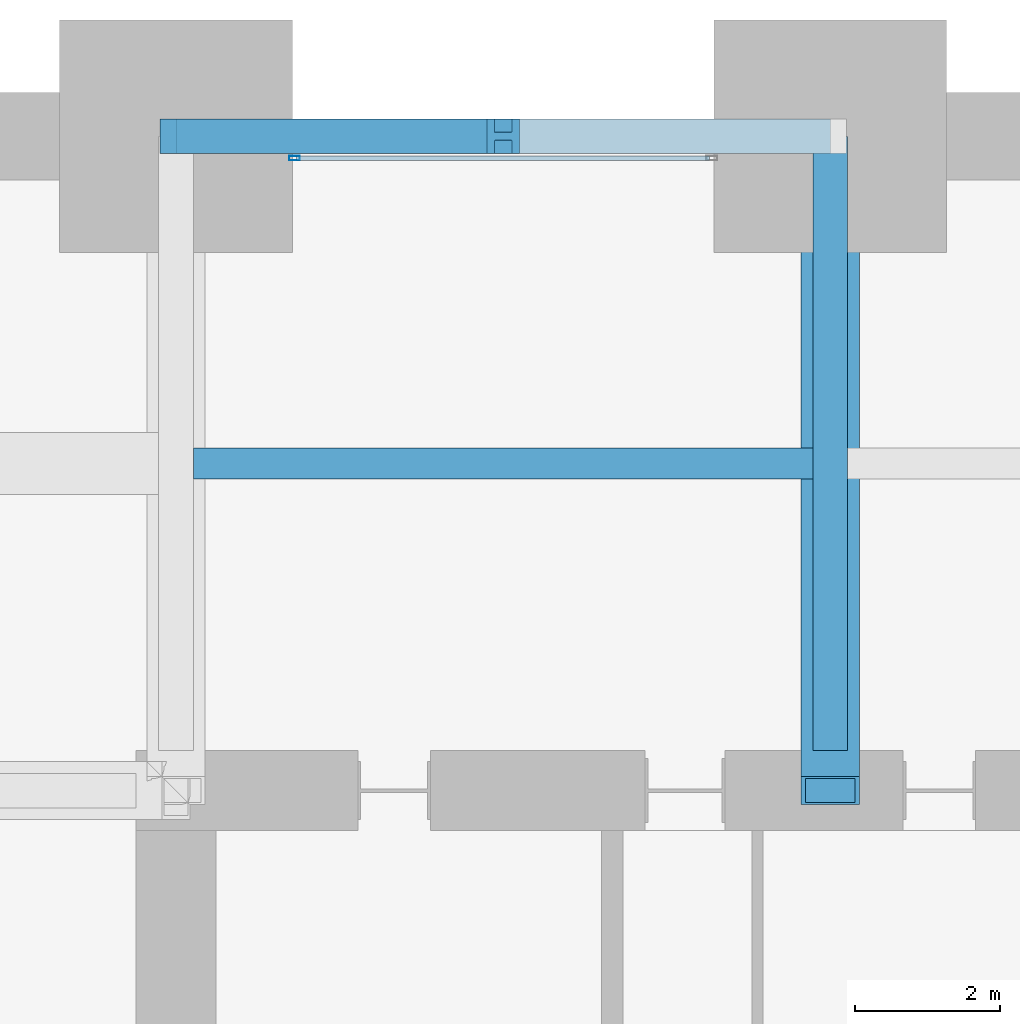
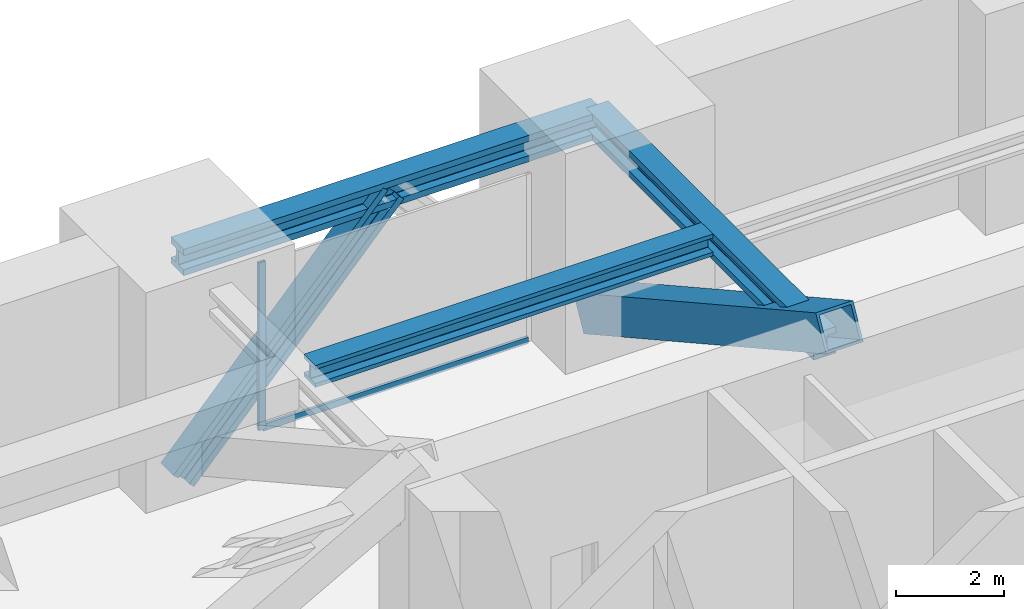
# One storey, part 26 of 38: 4 members, 3 beams, 1 element without a shape of its own.
"""IFC4 building model written with IfcOpenShell, lengths in metres."""

from ifc_helpers import new_model, si_unit, direction, frame, origin, origin_2d, place, context, subcontext, project, spatial, hollow_rectangle, i_section, extrude, material, material_profile, profile_set, type_object, element, aggregate, save


model = new_model("IFC4")

# Units and contexts
model_context = context("Model", 3, precision=1e-05, world=origin(), true_north=direction((0.0, 1.0)))
body_context = subcontext(model_context, "Body", "Model", "MODEL_VIEW")
ifc_project = project(units=[si_unit("LENGTHUNIT", "METRE"), si_unit("AREAUNIT", "SQUARE_METRE"), si_unit("VOLUMEUNIT", "CUBIC_METRE"), si_unit("PLANEANGLEUNIT", "RADIAN"), si_unit("MASSUNIT", "GRAM", prefix="KILO")], contexts=[model_context])

# Site, building, storey
site_placement = place(None, origin())
site = spatial("IfcSite", under=ifc_project, at=site_placement, CompositionType="ELEMENT")
building_placement = place(site_placement, origin())
building = spatial("IfcBuilding", under=site, at=building_placement, Name="Zorevar Civic Tower", CompositionType="ELEMENT")
storey_placement = place(building_placement, frame((0.0, 0.0, 157.199951171875)))
storey = spatial("IfcBuildingStorey", under=building, at=storey_placement, Name="L38", CompositionType="ELEMENT", Elevation=157.199951171875)

# Beam
ifc_material_1 = material(Name="Steel S460M (HISTAR 460)", Category="steel")
ifc_material_profile_1 = material_profile(ifc_material_1, i_section(OverallWidth=0.47607421875, OverallDepth=0.60009765625, WebThickness=0.10009765625, FlangeThickness=0.139892578125, FilletRadius=0.014892578125, at=origin_2d()), Name="HD 400x1299")
ifc_profile_set_1 = profile_set([ifc_material_profile_1], Name="Steel S460M (HISTAR 460)")
beam_type_1 = type_object("IfcBeamType", Name="Belt chord HD 400x1299", PredefinedType="BEAM", material=ifc_profile_set_1)
beam_1_placement = place(storey_placement, frame((18.0, 45.0, 4.300048828125), z_axis=(1.0, 0.0, 0.0), x_axis=(0.0, 1.0, 0.0)))
element("IfcBeam", 1, at=beam_1_placement, inside=storey, type_object=beam_type_1, Name="Belt chord L39", PredefinedType="BEAM", context=body_context, shape_type="SweptSolid", body=[
    extrude(i_section(OverallWidth=0.47607421875, OverallDepth=0.60009765625, WebThickness=0.10009765625, FlangeThickness=0.139892578125, FilletRadius=0.014892578125, at=origin_2d()), origin(), (0.0, 0.0, 1.0), 9.0),
])

# Member
ifc_material_2 = material(Name="Steel S460M (HISTAR 460)", Category="steel")
ifc_material_profile_2 = material_profile(ifc_material_2, i_section(OverallWidth=0.47607421875, OverallDepth=0.60009765625, WebThickness=0.10009765625, FlangeThickness=0.139892578125, FilletRadius=0.014892578125, at=origin_2d()), Name="HD 400x1299")
ifc_profile_set_2 = profile_set([ifc_material_profile_2], Name="Steel S460M (HISTAR 460)")
member_type_1 = type_object("IfcMemberType", Name="Belt strut HD 400x1299", PredefinedType="BRACE", material=ifc_profile_set_2)
member_1_placement = place(storey_placement, frame((18.0, 45.0, -0.64990234375), z_axis=(0.672676426978, 0.0, 0.739936770669), x_axis=(0.0, 1.0, 0.0)))
element("IfcMember", 2, at=member_1_placement, inside=storey, type_object=member_type_1, Name="Belt strut N L38", PredefinedType="BRACE", context=body_context, shape_type="SweptSolid", body=[
    extrude(i_section(OverallWidth=0.47607421875, OverallDepth=0.60009765625, WebThickness=0.10009765625, FlangeThickness=0.139892578125, FilletRadius=0.014892578125, at=origin_2d()), origin(), (0.0, 0.0, 1.0), 6.689697265625),
])

# Curtain wall, members
ifc_material_3 = material(Name="Black aluminium louvres", Category="aluminium")
curtain_wall_type = type_object("IfcCurtainWallType", Name="Louvred curtain wall CW6 refuge", PredefinedType="NOTDEFINED", material=ifc_material_3)
curtain_wall_placement = place(storey_placement, origin())
curtain_wall = element("IfcCurtainWall", 3, at=curtain_wall_placement, inside=storey, type_object=curtain_wall_type, Name="CW6 L38", PredefinedType="NOTDEFINED")
ifc_material_4 = material(Name="Aluminium, black anodised", Category="aluminium")
ifc_material_profile_3 = material_profile(ifc_material_4, hollow_rectangle(XDim=0.06005859375, YDim=0.14990234375, WallThickness=0.00390625, at=origin_2d()), Name="AL 150x60x4")
ifc_profile_set_3 = profile_set([ifc_material_profile_3], Name="Aluminium, black anodised")
member_type_2 = type_object("IfcMemberType", Name="CW6 mullion AL 150x60x4", PredefinedType="MULLION", material=ifc_profile_set_3)
member_2_placement = place(storey_placement, frame((19.6298828125, 44.699951171875, 0.0), z_axis=(0.0, 0.0, 1.0), x_axis=(0.0, 1.0, 0.0)))
member_2 = element("IfcMember", 4, at=member_2_placement, type_object=member_type_2, Name="CW6 mullion 1", PredefinedType="MULLION", context=body_context, shape_type="SweptSolid", body=[
    extrude(hollow_rectangle(XDim=0.06005859375, YDim=0.14990234375, WallThickness=0.00390625, at=origin_2d()), origin(), (0.0, 0.0, 1.0), 3.800048828125),
])
ifc_material_5 = material(Name="Aluminium, black anodised", Category="aluminium")
ifc_material_profile_4 = material_profile(ifc_material_5, hollow_rectangle(XDim=0.06005859375, YDim=0.14990234375, WallThickness=0.00390625, at=origin_2d()), Name="AL 150x60x4")
ifc_profile_set_4 = profile_set([ifc_material_profile_4], Name="Aluminium, black anodised")
member_type_3 = type_object("IfcMemberType", Name="CW6 transom AL 150x60x4", PredefinedType="USERDEFINED", material=ifc_profile_set_4)
member_3_placement = place(storey_placement, frame((19.659912109375, 44.699951171875, 0.030029296875), z_axis=(1.0, 0.0, 0.0), x_axis=(0.0, 1.0, 0.0)))
member_3 = element("IfcMember", 5, at=member_3_placement, type_object=member_type_3, Name="CW6 sill transom", ObjectType="TRANSOM", PredefinedType="USERDEFINED", context=body_context, shape_type="SweptSolid", body=[
    extrude(hollow_rectangle(XDim=0.06005859375, YDim=0.14990234375, WallThickness=0.00390625, at=origin_2d()), origin(), (0.0, 0.0, 1.0), 5.68017578125),
])
aggregate(curtain_wall, [member_2, member_3])

# Beams
ifc_material_6 = material(Name="Steel S460M (HISTAR 460)", Category="steel")
ifc_material_profile_5 = material_profile(ifc_material_6, i_section(OverallWidth=0.431884765625, OverallDepth=0.498046875, WebThickness=0.0556640625, FlangeThickness=0.0888671875, FilletRadius=0.014892578125, at=origin_2d()), Name="HD 400x744")
ifc_profile_set_5 = profile_set([ifc_material_profile_5], Name="Steel S460M (HISTAR 460)")
beam_type_2 = type_object("IfcBeamType", Name="Core bay beam HD 400x744", PredefinedType="BEAM", material=ifc_profile_set_5)
beam_2_placement = place(storey_placement, frame((18.238037109375, 40.5, 4.35107421875), z_axis=(1.0, 0.0, 0.0), x_axis=(0.0, 1.0, 0.0)))
element("IfcBeam", 6, at=beam_2_placement, inside=storey, type_object=beam_type_2, Name="Secondary beam L39", PredefinedType="BEAM", context=body_context, shape_type="SweptSolid", body=[
    extrude(i_section(OverallWidth=0.431884765625, OverallDepth=0.498046875, WebThickness=0.0556640625, FlangeThickness=0.0888671875, FilletRadius=0.014892578125, at=origin_2d()), origin(), (0.0, 0.0, 1.0), 8.52392578125),
])
ifc_material_7 = material(Name="Steel S460M (HISTAR 460)", Category="steel")
ifc_material_profile_6 = material_profile(ifc_material_7, i_section(OverallWidth=0.47607421875, OverallDepth=0.60009765625, WebThickness=0.10009765625, FlangeThickness=0.139892578125, FilletRadius=0.014892578125, at=origin_2d()), Name="HD 400x1299")
ifc_profile_set_6 = profile_set([ifc_material_profile_6], Name="Steel S460M (HISTAR 460)")
beam_type_3 = type_object("IfcBeamType", Name="Outrigger chord HD 400x1299", PredefinedType="BEAM", material=ifc_profile_set_6)
beam_3_placement = place(storey_placement, frame((27.0, 36.550048828125, 4.300048828125), z_axis=(0.0, 1.0, 0.0), x_axis=(-1.0, 0.0, 0.0)))
element("IfcBeam", 7, at=beam_3_placement, inside=storey, type_object=beam_type_3, Name="Outrigger chord L39", PredefinedType="BEAM", context=body_context, shape_type="SweptSolid", body=[
    extrude(i_section(OverallWidth=0.47607421875, OverallDepth=0.60009765625, WebThickness=0.10009765625, FlangeThickness=0.139892578125, FilletRadius=0.014892578125, at=origin_2d()), origin(), (0.0, 0.0, 1.0), 8.449951171875),
])

# Member
ifc_material_8 = material(Name="Steel S460M (HISTAR 460)", Category="steel")
ifc_material_profile_7 = material_profile(ifc_material_8, hollow_rectangle(XDim=0.800048828125, YDim=0.800048828125, WallThickness=0.06005859375, at=origin_2d()), Name="BOX 800x800x60")
ifc_profile_set_7 = profile_set([ifc_material_profile_7], Name="Steel S460M (HISTAR 460)")
member_type_4 = type_object("IfcMemberType", Name="Outrigger diagonal BOX 800x800x60", PredefinedType="BRACE", material=ifc_profile_set_7)
member_4_placement = place(storey_placement, frame((27.0, 36.0, 5.0), z_axis=(0.0, 0.874157276122, -0.485642931179), x_axis=(-1.0, 0.0, 0.0)))
element("IfcMember", 8, at=member_4_placement, inside=storey, type_object=member_type_4, Name="Outrigger diagonal N L38", PredefinedType="BRACE", context=body_context, shape_type="SweptSolid", body=[
    extrude(hollow_rectangle(XDim=0.800048828125, YDim=0.800048828125, WallThickness=0.06005859375, at=origin_2d()), origin(), (0.0, 0.0, 1.0), 10.295654296875),
])

save(model, "model.ifc")
